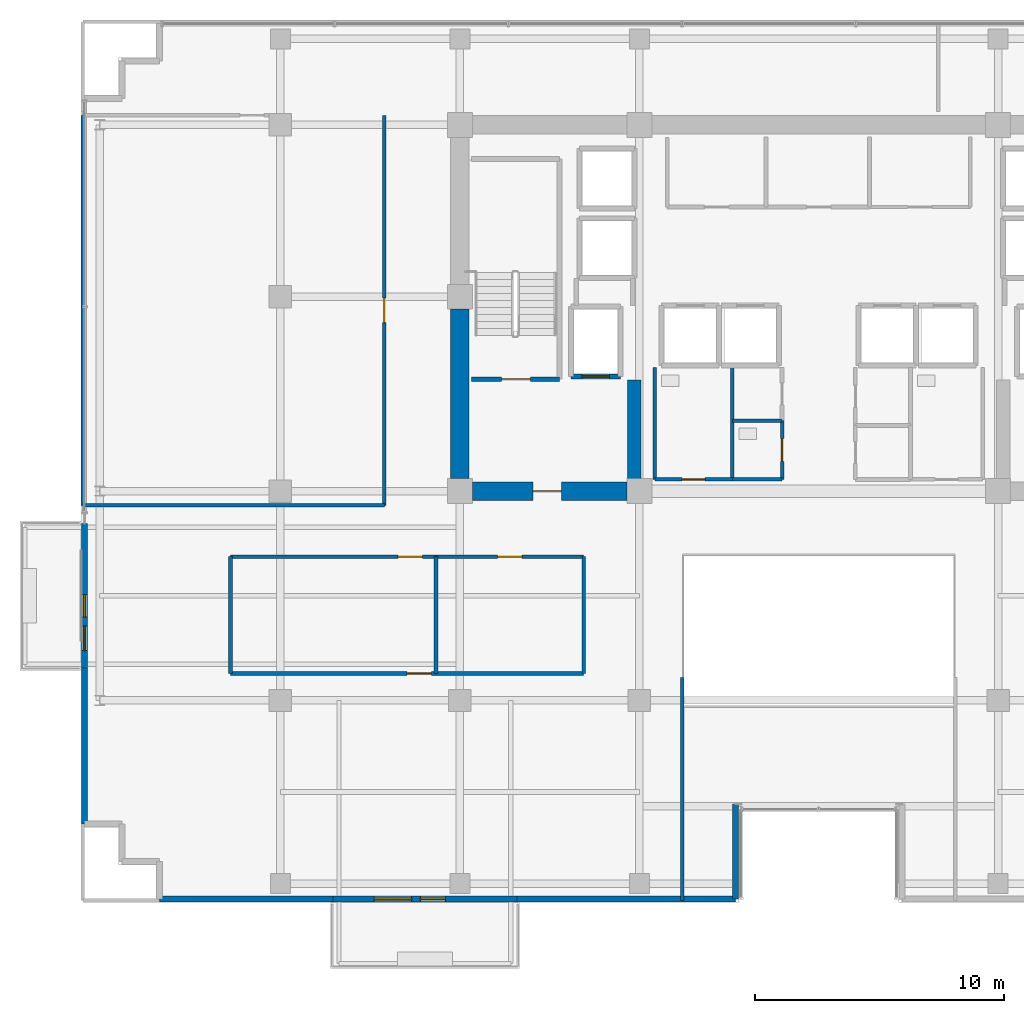
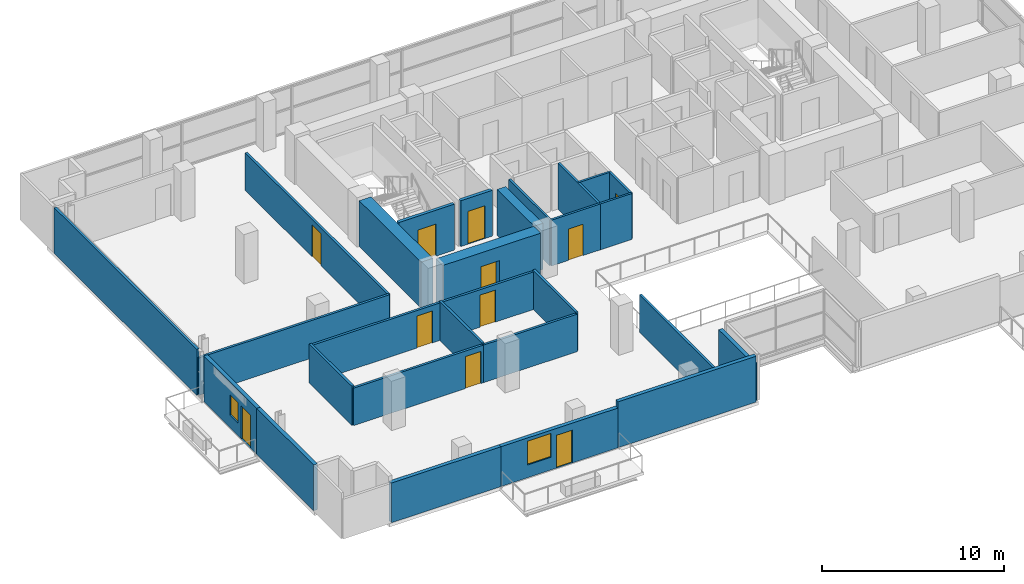
# One storey, part 20 of 27: 28 walls, 11 doors, 2 windows, 13 openings.
"""IFC4 building model written with IfcOpenShell, lengths in metres."""

from ifc_helpers import new_model, si_unit, direction, frame, frame_2d, origin, place, context, subcontext, project, spatial, rectangle, extrude, source, transform, mapped, material, layer, layer_set, type_object, element, fill, save


model = new_model("IFC4")

# Units and contexts
model_context = context("Model", 3, precision=1e-05, world=origin(), true_north=direction((0.0, 1.0)))
body_context = subcontext(model_context, "Body", "Model", "MODEL_VIEW")
ifc_project = project(units=[si_unit("LENGTHUNIT", "METRE"), si_unit("AREAUNIT", "SQUARE_METRE"), si_unit("VOLUMEUNIT", "CUBIC_METRE"), si_unit("PLANEANGLEUNIT", "RADIAN"), si_unit("MASSUNIT", "GRAM", prefix="KILO")], contexts=[model_context])

# Site, building, storey
site_placement = place(None, origin())
site = spatial("IfcSite", under=ifc_project, at=site_placement, CompositionType="ELEMENT")
building_placement = place(site_placement, origin())
building = spatial("IfcBuilding", under=site, at=building_placement, Name="Zarnakvel Exchange Tower", CompositionType="ELEMENT")
storey_placement = place(building_placement, frame((0.0, 0.0, 96.699951171875)))
storey = spatial("IfcBuildingStorey", under=building, at=storey_placement, Name="L26", CompositionType="ELEMENT", Elevation=96.699951171875)

# Wall
ifc_material_1 = material(Name="Concrete C60/75", Category="concrete")
ifc_layer_1 = layer(ifc_material_1, 0.75)
ifc_layer_set_1 = layer_set([ifc_layer_1], Name="Concrete C60/75")
wall_type_1 = type_object("IfcWallType", Name="CW-C3", PredefinedType="SHEAR", material=ifc_layer_set_1)
wall_1_placement = place(storey_placement, frame((-14.39990234375, -0.699951171875, 0.0), z_axis=(0.0, 0.0, 1.0), x_axis=(0.0, 1.0, 0.0)))
element("IfcWall", 1, at=wall_1_placement, inside=storey, type_object=wall_type_1, Name="L26 Rear Core Shear Wall W1 (CW-C3)", PredefinedType="SHEAR", context=body_context, shape_type="SweptSolid", body=[
    extrude(rectangle(XDim=6.800048828125, YDim=0.75, at=frame_2d((3.39990234375, 0.0))), origin(), (0.0, 0.0, 1.0), 3.074951171875),
])

# Wall, opening, door
wall_2_placement = place(storey_placement, frame((-7.699951171875, -1.199951171875, 0.0), z_axis=(0.0, 0.0, 1.0), x_axis=(-1.0, 0.0, 0.0)))
wall_2 = element("IfcWall", 2, at=wall_2_placement, inside=storey, type_object=wall_type_1, Name="L26 Rear Core Shear Wall SW (CW-C3)", PredefinedType="SHEAR", context=body_context, shape_type="SweptSolid", body=[
    extrude(rectangle(XDim=6.199951171875, YDim=0.75, at=frame_2d((3.10009765625, 0.0))), origin(), (0.0, 0.0, 1.0), 3.074951171875),
])
opening_1_placement = place(wall_2_placement, frame((2.625, 0.0, 0.0)))
opening_1 = element("IfcOpeningElement", 3, at=opening_1_placement, cuts=wall_2, Name="Opening D-L26-03", PredefinedType="OPENING", context=body_context, shape_type="SweptSolid", body=[
    extrude(rectangle(XDim=1.14990234375, YDim=2.14990234375, at=frame_2d((0.574951171875, 1.074951171875))), frame((0.0, 0.385009765625, 0.0), z_axis=(0.0, -1.0, 0.0), x_axis=(1.0, 0.0, 0.0)), (0.0, 0.0, 1.0), 0.77001953125),
])
ifc_material_2 = material(Name="Painted Galvanised Steel S355", Category="steel")
door_type_1 = type_object("IfcDoorType", Name="DT-04", OperationType="NOTDEFINED", PredefinedType="DOOR", material=ifc_material_2)
shared_shape_1 = source(origin(), body_context, "Body", "SweptSolid", [
    extrude(rectangle(XDim=1.14990234375, YDim=2.14990234375, at=frame_2d((0.574951171875, 1.074951171875))), frame((0.0, 0.02490234375, 0.0), z_axis=(0.0, -1.0, 0.0), x_axis=(1.0, 0.0, 0.0)), (0.0, 0.0, 1.0), 0.050048828125),
])
door_1_placement = place(opening_1_placement, origin())
door_1 = element("IfcDoor", 4, at=door_1_placement, inside=storey, type_object=door_type_1, Name="L26 Firefighting Lobby West Door D-L26-03", OperationType="SINGLE_SWING_RIGHT", OverallHeight=2.14990234375, OverallWidth=1.14990234375, PredefinedType="DOOR", context=body_context, shape_type="MappedRepresentation", body=[
    mapped(shared_shape_1, transform((0.0, 0.0, 0.0), x_axis=(1.0, 0.0, 0.0), y_axis=(0.0, 1.0, 0.0), z_axis=(0.0, 0.0, 1.0), scale=1.0)),
])
fill(opening_1, door_1)

# Wall
ifc_layer_2 = layer(ifc_material_1, 0.550048828125)
ifc_layer_set_2 = layer_set([ifc_layer_2], Name="Concrete C60/75")
wall_type_2 = type_object("IfcWallType", Name="CW-C4", PredefinedType="SHEAR", material=ifc_layer_set_2)
wall_3_placement = place(storey_placement, frame((-7.39990234375, -0.824951171875, 0.0), z_axis=(0.0, 0.0, 1.0), x_axis=(0.0, 1.0, 0.0)))
element("IfcWall", 5, at=wall_3_placement, inside=storey, type_object=wall_type_2, Name="L26 Rear Core Shear Wall IW (CW-C4)", PredefinedType="SHEAR", context=body_context, shape_type="SweptSolid", body=[
    extrude(rectangle(XDim=4.074951171875, YDim=0.550048828125, at=frame_2d((2.03759765625, 0.0))), origin(), (0.0, 0.0, 1.0), 3.074951171875),
])

# Wall, openings, door, window
ifc_material_3 = material(Name="Precast concrete C40/50", Category="concrete")
ifc_layer_3 = layer(ifc_material_3, 0.239990234375)
ifc_layer_set_3 = layer_set([ifc_layer_3], Name="Precast concrete C40/50")
wall_type_3 = type_object("IfcWallType", Name="EW-02", PredefinedType="SOLIDWALL", material=ifc_layer_set_3)
wall_4_placement = place(storey_placement, frame((-12.10009765625, -17.56005859375, 0.0), z_axis=(0.0, 0.0, 1.0), x_axis=(-1.0, 0.0, 0.0)))
wall_4 = element("IfcWall", 6, at=wall_4_placement, inside=storey, type_object=wall_type_3, Name="L26 Exterior Precast Spandrel Wall EW-BAL-L26-SW (EW-02)", PredefinedType="SOLIDWALL", context=body_context, shape_type="SweptSolid", body=[
    extrude(rectangle(XDim=7.39990234375, YDim=0.239990234375, at=frame_2d((3.699951171875, 0.0))), origin(), (0.0, 0.0, 1.0), 2.6650390625),
])
opening_2_placement = place(wall_4_placement, frame((2.885986328125, 0.0, 0.0)))
opening_2 = element("IfcOpeningElement", 7, at=opening_2_placement, cuts=wall_4, Name="Opening BD-L26-01", PredefinedType="OPENING", context=body_context, shape_type="SweptSolid", body=[
    extrude(rectangle(XDim=1.0, YDim=2.199951171875, at=frame_2d((0.5, 1.10009765625))), frame((0.0, 0.1298828125, 0.0), z_axis=(0.0, -1.0, 0.0), x_axis=(1.0, 0.0, 0.0)), (0.0, 0.0, 1.0), 0.260009765625),
])
opening_3_placement = place(wall_4_placement, frame((4.236083984375, 0.0, 0.85009765625)))
opening_3 = element("IfcOpeningElement", 8, at=opening_3_placement, cuts=wall_4, Name="Opening WN-03", PredefinedType="OPENING", context=body_context, shape_type="SweptSolid", body=[
    extrude(rectangle(XDim=1.5, YDim=1.60009765625, at=frame_2d((0.75, 0.800048828125))), frame((0.0, 0.1298828125, 0.0), z_axis=(0.0, -1.0, 0.0), x_axis=(1.0, 0.0, 0.0)), (0.0, 0.0, 1.0), 0.260009765625),
])
ifc_material_4 = material(Name="Architectural Bronze Anodised Aluminium", Category="aluminium")
door_type_2 = type_object("IfcDoorType", Name="DT-09", OperationType="NOTDEFINED", PredefinedType="DOOR", material=ifc_material_4)
shared_shape_2 = source(origin(), body_context, "Body", "SweptSolid", [
    extrude(rectangle(XDim=1.0, YDim=2.199951171875, at=frame_2d((0.5, 1.10009765625))), frame((0.0, 0.02490234375, 0.0), z_axis=(0.0, -1.0, 0.0), x_axis=(1.0, 0.0, 0.0)), (0.0, 0.0, 1.0), 0.050048828125),
])
door_2_placement = place(opening_2_placement, origin())
door_2 = element("IfcDoor", 9, at=door_2_placement, inside=storey, type_object=door_type_2, Name="L26 Planted Loggia Balcony Door BD-L26-01", OperationType="SINGLE_SWING_RIGHT", OverallHeight=2.199951171875, OverallWidth=1.0, PredefinedType="DOOR", context=body_context, shape_type="MappedRepresentation", body=[
    mapped(shared_shape_2, transform((0.0, 0.0, 0.0), x_axis=(1.0, 0.0, 0.0), y_axis=(0.0, 1.0, 0.0), z_axis=(0.0, 0.0, 1.0), scale=1.0)),
])
fill(opening_2, door_2)
ifc_material_5 = material(Name="Double Low-E Laminated Vision Glass", Category="glass")
window_type_1 = type_object("IfcWindowType", Name="WN-03", PartitioningType="SINGLE_PANEL", PredefinedType="WINDOW", material=ifc_material_5)
shared_shape_3 = source(origin(), body_context, "Body", "SweptSolid", [
    extrude(rectangle(XDim=1.5, YDim=1.60009765625, at=frame_2d((0.75, 0.800048828125))), frame((0.0, 0.030029296875, 0.0), z_axis=(0.0, -1.0, 0.0), x_axis=(1.0, 0.0, 0.0)), (0.0, 0.0, 1.0), 0.06005859375),
])
window_1_placement = place(opening_3_placement, origin())
window_1 = element("IfcWindow", 10, at=window_1_placement, inside=storey, type_object=window_type_1, Name="L26 Loggia Daylight Window (WN-03)", OverallHeight=1.60009765625, OverallWidth=1.5, PartitioningType="SINGLE_PANEL", PredefinedType="WINDOW", context=body_context, shape_type="MappedRepresentation", body=[
    mapped(shared_shape_3, transform((0.0, 0.0, 0.0), x_axis=(1.0, 0.0, 0.0), y_axis=(0.0, 1.0, 0.0), z_axis=(0.0, 0.0, 1.0), scale=1.0)),
])
fill(opening_3, window_1)

wall_5_placement = place(storey_placement, frame((-29.4599609375, -8.300048828125, 0.0), z_axis=(0.0, 0.0, 1.0), x_axis=(0.0, 1.0, 0.0)))
wall_5 = element("IfcWall", 11, at=wall_5_placement, inside=storey, type_object=wall_type_3, Name="L26 Exterior Precast Spandrel Wall EW-BAL-L26-W (EW-02)", PredefinedType="SOLIDWALL", context=body_context, shape_type="SweptSolid", body=[
    extrude(rectangle(XDim=5.800048828125, YDim=0.239990234375, at=frame_2d((2.89990234375, 0.0))), origin(), (0.0, 0.0, 1.0), 3.074951171875),
])
opening_4_placement = place(wall_5_placement, frame((0.696044921875, 0.0, 0.0)))
opening_4 = element("IfcOpeningElement", 12, at=opening_4_placement, cuts=wall_5, Name="Opening BD-L26-03", PredefinedType="OPENING", context=body_context, shape_type="SweptSolid", body=[
    extrude(rectangle(XDim=1.0, YDim=2.199951171875, at=frame_2d((0.5, 1.10009765625))), frame((0.0, 0.1298828125, 0.0), z_axis=(0.0, -1.0, 0.0), x_axis=(1.0, 0.0, 0.0)), (0.0, 0.0, 1.0), 0.260009765625),
])
opening_5_placement = place(wall_5_placement, frame((2.0458984375, 0.0, 0.85009765625)))
opening_5 = element("IfcOpeningElement", 13, at=opening_5_placement, cuts=wall_5, Name="Opening WN-06", PredefinedType="OPENING", context=body_context, shape_type="SweptSolid", body=[
    extrude(rectangle(XDim=0.89990234375, YDim=1.35009765625, at=frame_2d((0.449951171875, 0.675048828125))), frame((0.0, 0.1298828125, 0.0), z_axis=(0.0, -1.0, 0.0), x_axis=(1.0, 0.0, 0.0)), (0.0, 0.0, 1.0), 0.260009765625),
])
door_3_placement = place(opening_4_placement, origin())
door_3 = element("IfcDoor", 14, at=door_3_placement, inside=storey, type_object=door_type_2, Name="L26 Planted Loggia Balcony Door BD-L26-03", OperationType="SINGLE_SWING_RIGHT", OverallHeight=2.199951171875, OverallWidth=1.0, PredefinedType="DOOR", context=body_context, shape_type="MappedRepresentation", body=[
    mapped(shared_shape_2, transform((0.0, 0.0, 0.0), x_axis=(1.0, 0.0, 0.0), y_axis=(0.0, 1.0, 0.0), z_axis=(0.0, 0.0, 1.0), scale=1.0)),
])
fill(opening_4, door_3)
window_type_2 = type_object("IfcWindowType", Name="WN-06", PartitioningType="SINGLE_PANEL", PredefinedType="WINDOW", material=ifc_material_5)
shared_shape_4 = source(origin(), body_context, "Body", "SweptSolid", [
    extrude(rectangle(XDim=0.89990234375, YDim=1.35009765625, at=frame_2d((0.449951171875, 0.675048828125))), frame((0.0, 0.030029296875, 0.0), z_axis=(0.0, -1.0, 0.0), x_axis=(1.0, 0.0, 0.0)), (0.0, 0.0, 1.0), 0.06005859375),
])
window_2_placement = place(opening_5_placement, origin())
window_2 = element("IfcWindow", 15, at=window_2_placement, inside=storey, type_object=window_type_2, Name="L26 Loggia Daylight Window (WN-06)", OverallHeight=1.35009765625, OverallWidth=0.89990234375, PartitioningType="SINGLE_PANEL", PredefinedType="WINDOW", context=body_context, shape_type="MappedRepresentation", body=[
    mapped(shared_shape_4, transform((0.0, 0.0, 0.0), x_axis=(1.0, 0.0, 0.0), y_axis=(0.0, 1.0, 0.0), z_axis=(0.0, 0.0, 1.0), scale=1.0)),
])
fill(opening_5, window_2)

# Walls
wall_6_placement = place(storey_placement, frame((-29.4599609375, -8.300048828125, 0.0), z_axis=(0.0, 0.0, 1.0), x_axis=(0.0, -1.0, 0.0)))
element("IfcWall", 16, at=wall_6_placement, inside=storey, type_object=wall_type_3, Name="L26 Exterior Precast Spandrel Wall EWC-L26-01 (EW-02)", PredefinedType="SOLIDWALL", context=body_context, shape_type="SweptSolid", body=[
    extrude(rectangle(XDim=6.260009765625, YDim=0.239990234375, at=frame_2d((3.1298828125, 0.0))), origin(), (0.0, 0.0, 1.0), 3.074951171875),
])
wall_7_placement = place(storey_placement, frame((-3.340087890625, -17.56005859375, 0.0), z_axis=(0.0, 0.0, 1.0), x_axis=(0.0, 1.0, 0.0)))
element("IfcWall", 17, at=wall_7_placement, inside=storey, type_object=wall_type_3, Name="L26 Exterior Precast Spandrel Wall EWC-L26-20 (EW-02)", PredefinedType="SOLIDWALL", context=body_context, shape_type="SweptSolid", body=[
    extrude(rectangle(XDim=3.800048828125, YDim=0.239990234375, at=frame_2d((1.89990234375, 0.0))), origin(), (0.0, 0.0, 1.0), 2.51513671875),
])
wall_8_placement = place(storey_placement, frame((-12.10009765625, -17.56005859375, 0.0), z_axis=(0.0, 0.0, 1.0), x_axis=(1.0, 0.0, 0.0)))
element("IfcWall", 18, at=wall_8_placement, inside=storey, type_object=wall_type_3, Name="L26 Exterior Precast Spandrel Wall EWC-L26-21 (EW-02)", PredefinedType="SOLIDWALL", context=body_context, shape_type="SweptSolid", body=[
    extrude(rectangle(XDim=8.760009765625, YDim=0.239990234375, at=frame_2d((4.3798828125, 0.0))), origin(), (0.0, 0.0, 1.0), 3.074951171875),
])
wall_9_placement = place(storey_placement, frame((-26.4599609375, -17.56005859375, 0.0), z_axis=(0.0, 0.0, 1.0), x_axis=(1.0, 0.0, 0.0)))
element("IfcWall", 19, at=wall_9_placement, inside=storey, type_object=wall_type_3, Name="L26 Exterior Precast Spandrel Wall EWC-L26-22 (EW-02)", PredefinedType="SOLIDWALL", context=body_context, shape_type="SweptSolid", body=[
    extrude(rectangle(XDim=6.9599609375, YDim=0.239990234375, at=frame_2d((3.47998046875, 0.0))), origin(), (0.0, 0.0, 1.0), 2.6650390625),
])

# Wall, opening, door
ifc_material_6 = material(Name="Fire-Rated Gypsum Stud Partition", Category="gypsum")
ifc_layer_4 = layer(ifc_material_6, 0.14990234375)
ifc_layer_set_4 = layer_set([ifc_layer_4], Name="Fire-Rated Gypsum Stud Partition")
wall_type_4 = type_object("IfcWallType", Name="PT-01", PredefinedType="PARTITIONING", material=ifc_layer_set_4)
wall_10_placement = place(storey_placement, frame((-15.360595703125, -8.52001953125, 0.0), z_axis=(0.0, 0.0, 1.0), x_axis=(-1.0, 0.0, 0.0)))
wall_10 = element("IfcWall", 20, at=wall_10_placement, inside=storey, type_object=wall_type_4, Name="L26 Partition Wall PWALL-L26-033 (PT-01)", PredefinedType="PARTITIONING", context=body_context, shape_type="SweptSolid", body=[
    extrude(rectangle(XDim=8.23876953125, YDim=0.14990234375, at=frame_2d((4.119384765625, 0.0))), origin(), (0.0, 0.0, 1.0), 2.51513671875),
])
opening_6_placement = place(wall_10_placement, frame((0.179931640625, 0.0, 0.0)))
opening_6 = element("IfcOpeningElement", 21, at=opening_6_placement, cuts=wall_10, Name="Opening D-L26-16", PredefinedType="OPENING", context=body_context, shape_type="SweptSolid", body=[
    extrude(rectangle(XDim=0.97998046875, YDim=2.14990234375, at=frame_2d((0.489990234375, 1.074951171875))), frame((0.0, 0.0849609375, 0.0), z_axis=(0.0, -1.0, 0.0), x_axis=(1.0, 0.0, 0.0)), (0.0, 0.0, 1.0), 0.169921875),
])
ifc_material_7 = material(Name="Timber Acoustic Veneer", Category="wood")
door_type_3 = type_object("IfcDoorType", Name="DT-05", OperationType="NOTDEFINED", PredefinedType="DOOR", material=ifc_material_7)
shared_shape_5 = source(origin(), body_context, "Body", "SweptSolid", [
    extrude(rectangle(XDim=0.97998046875, YDim=2.14990234375, at=frame_2d((0.489990234375, 1.074951171875))), frame((0.0, 0.02490234375, 0.0), z_axis=(0.0, -1.0, 0.0), x_axis=(1.0, 0.0, 0.0)), (0.0, 0.0, 1.0), 0.050048828125),
])
door_4_placement = place(opening_6_placement, origin())
door_4 = element("IfcDoor", 22, at=door_4_placement, inside=storey, type_object=door_type_3, Name="L26 Institutional Dealing Room Door D-L26-16", OperationType="SINGLE_SWING_LEFT", OverallHeight=2.14990234375, OverallWidth=0.97998046875, PredefinedType="DOOR", context=body_context, shape_type="MappedRepresentation", body=[
    mapped(shared_shape_5, transform((0.0, 0.0, 0.0), x_axis=(1.0, 0.0, 0.0), y_axis=(0.0, 1.0, 0.0), z_axis=(0.0, 0.0, 1.0), scale=1.0)),
])
fill(opening_6, door_4)

wall_11_placement = place(storey_placement, frame((-23.599365234375, -3.830078125, 0.0), z_axis=(0.0, 0.0, 1.0), x_axis=(1.0, 0.0, 0.0)))
wall_11 = element("IfcWall", 23, at=wall_11_placement, inside=storey, type_object=wall_type_4, Name="L26 Partition Wall PWALL-L26-034 (PT-01)", PredefinedType="PARTITIONING", context=body_context, shape_type="SweptSolid", body=[
    extrude(rectangle(XDim=8.23876953125, YDim=0.14990234375, at=frame_2d((4.119384765625, 0.0))), origin(), (0.0, 0.0, 1.0), 2.51513671875),
])
opening_7_placement = place(wall_11_placement, frame((6.71435546875, 0.0, 0.0)))
opening_7 = element("IfcOpeningElement", 24, at=opening_7_placement, cuts=wall_11, Name="Opening D-L26-14", PredefinedType="OPENING", context=body_context, shape_type="SweptSolid", body=[
    extrude(rectangle(XDim=0.97998046875, YDim=2.14990234375, at=frame_2d((0.489990234375, 1.074951171875))), frame((0.0, 0.0849609375, 0.0), z_axis=(0.0, -1.0, 0.0), x_axis=(1.0, 0.0, 0.0)), (0.0, 0.0, 1.0), 0.169921875),
])
door_5_placement = place(opening_7_placement, origin())
door_5 = element("IfcDoor", 25, at=door_5_placement, inside=storey, type_object=door_type_3, Name="L26 Clearing Office Door D-L26-14", OperationType="SINGLE_SWING_LEFT", OverallHeight=2.14990234375, OverallWidth=0.97998046875, PredefinedType="DOOR", context=body_context, shape_type="MappedRepresentation", body=[
    mapped(shared_shape_5, transform((0.0, 0.0, 0.0), x_axis=(1.0, 0.0, 0.0), y_axis=(0.0, 1.0, 0.0), z_axis=(0.0, 0.0, 1.0), scale=1.0)),
])
fill(opening_7, door_5)

# Walls
for number, where, z_axis, x_axis, name in (
    (26, (-23.599365234375, -8.52001953125, 0.0), (0.0, 0.0, 1.0), (0.0, 1.0, 0.0), "L26 Partition Wall PWALL-L26-035 (PT-01)"),
    (27, (-15.360595703125, -3.830078125, 0.0), (0.0, 0.0, 1.0), (0.0, -1.0, 0.0), "L26 Partition Wall PWALL-L26-036 (PT-01)"),
):
    element("IfcWall", number, at=place(storey_placement, frame(where, z_axis=z_axis, x_axis=x_axis)), inside=storey, type_object=wall_type_4, Name=name, PredefinedType="PARTITIONING", context=body_context, shape_type="SweptSolid", body=[
        extrude(rectangle(XDim=4.68994140625, YDim=0.14990234375, at=frame_2d((2.344970703125, 0.0))), origin(), (0.0, 0.0, 1.0), 2.614990234375),
    ])
wall_12_placement = place(storey_placement, frame((-9.429931640625, -8.52001953125, 0.0), z_axis=(0.0, 0.0, 1.0), x_axis=(-1.0, 0.0, 0.0)))
element("IfcWall", 28, at=wall_12_placement, inside=storey, type_object=wall_type_4, Name="L26 Partition Wall PWALL-L26-037 (PT-01)", PredefinedType="PARTITIONING", context=body_context, shape_type="SweptSolid", body=[
    extrude(rectangle(XDim=5.9306640625, YDim=0.14990234375, at=frame_2d((2.96533203125, 0.0))), origin(), (0.0, 0.0, 1.0), 2.51513671875),
])

# Wall, opening, door
wall_13_placement = place(storey_placement, frame((-15.360595703125, -3.830078125, 0.0), z_axis=(0.0, 0.0, 1.0), x_axis=(1.0, 0.0, 0.0)))
wall_13 = element("IfcWall", 29, at=wall_13_placement, inside=storey, type_object=wall_type_4, Name="L26 Partition Wall PWALL-L26-038 (PT-01)", PredefinedType="PARTITIONING", context=body_context, shape_type="SweptSolid", body=[
    extrude(rectangle(XDim=5.9306640625, YDim=0.14990234375, at=frame_2d((2.96533203125, 0.0))), origin(), (0.0, 0.0, 1.0), 2.51513671875),
])
opening_8_placement = place(wall_13_placement, frame((2.4755859375, 0.0, 0.0)))
opening_8 = element("IfcOpeningElement", 30, at=opening_8_placement, cuts=wall_13, Name="Opening D-L26-15", PredefinedType="OPENING", context=body_context, shape_type="SweptSolid", body=[
    extrude(rectangle(XDim=0.97998046875, YDim=2.14990234375, at=frame_2d((0.489990234375, 1.074951171875))), frame((0.0, 0.0849609375, 0.0), z_axis=(0.0, -1.0, 0.0), x_axis=(1.0, 0.0, 0.0)), (0.0, 0.0, 1.0), 0.169921875),
])
door_6_placement = place(opening_8_placement, origin())
door_6 = element("IfcDoor", 31, at=door_6_placement, inside=storey, type_object=door_type_3, Name="L26 Executive Office Door D-L26-15", OperationType="SINGLE_SWING_RIGHT", OverallHeight=2.14990234375, OverallWidth=0.97998046875, PredefinedType="DOOR", context=body_context, shape_type="MappedRepresentation", body=[
    mapped(shared_shape_5, transform((0.0, 0.0, 0.0), x_axis=(1.0, 0.0, 0.0), y_axis=(0.0, 1.0, 0.0), z_axis=(0.0, 0.0, 1.0), scale=1.0)),
])
fill(opening_8, door_6)

# Walls
wall_14_placement = place(storey_placement, frame((-9.429931640625, -3.830078125, 0.0), z_axis=(0.0, 0.0, 1.0), x_axis=(0.0, -1.0, 0.0)))
element("IfcWall", 32, at=wall_14_placement, inside=storey, type_object=wall_type_4, Name="L26 Partition Wall PWALL-L26-039 (PT-01)", PredefinedType="PARTITIONING", context=body_context, shape_type="SweptSolid", body=[
    extrude(rectangle(XDim=4.68994140625, YDim=0.14990234375, at=frame_2d((2.344970703125, 0.0))), origin(), (0.0, 0.0, 1.0), 2.614990234375),
])
wall_15_placement = place(storey_placement, frame((-5.47998046875, -8.679931640625, 0.0), z_axis=(0.0, 0.0, 1.0), x_axis=(0.0, -1.0, 0.0)))
element("IfcWall", 33, at=wall_15_placement, inside=storey, type_object=wall_type_4, Name="L26 Partition Wall PWALL-L26-042 (PT-01)", PredefinedType="PARTITIONING", context=body_context, shape_type="SweptSolid", body=[
    extrude(rectangle(XDim=8.949951171875, YDim=0.14990234375, at=frame_2d((4.47509765625, 0.0))), origin(), (0.0, 0.0, 1.0), 2.51513671875),
])
wall_16_placement = place(storey_placement, frame((-17.429931640625, -1.77001953125, 0.0), z_axis=(0.0, 0.0, 1.0), x_axis=(-1.0, 0.0, 0.0)))
element("IfcWall", 34, at=wall_16_placement, inside=storey, type_object=wall_type_4, Name="L26 Partition Wall PWALL-L26-050 (PT-01)", PredefinedType="PARTITIONING", context=body_context, shape_type="SweptSolid", body=[
    extrude(rectangle(XDim=12.10009765625, YDim=0.14990234375, at=frame_2d((6.050048828125, 0.0))), origin(), (0.0, 0.0, 1.0), 2.51513671875),
])
wall_17_placement = place(storey_placement, frame((-29.530029296875, -1.77001953125, 0.0), z_axis=(0.0, 0.0, 1.0), x_axis=(0.0, 1.0, 0.0)))
element("IfcWall", 35, at=wall_17_placement, inside=storey, type_object=wall_type_4, Name="L26 Partition Wall PWALL-L26-052 (PT-01)", PredefinedType="PARTITIONING", context=body_context, shape_type="SweptSolid", body=[
    extrude(rectangle(XDim=15.64990234375, YDim=0.14990234375, at=frame_2d((7.824951171875, 0.0))), origin(), (0.0, 0.0, 1.0), 3.074951171875),
])

# Wall, opening, door
wall_18_placement = place(storey_placement, frame((-17.429931640625, 13.8798828125, 0.0), z_axis=(0.0, 0.0, 1.0), x_axis=(0.0, -1.0, 0.0)))
wall_18 = element("IfcWall", 36, at=wall_18_placement, inside=storey, type_object=wall_type_4, Name="L26 Partition Wall PWALL-L26-053 (PT-01)", PredefinedType="PARTITIONING", context=body_context, shape_type="SweptSolid", body=[
    extrude(rectangle(XDim=15.64990234375, YDim=0.14990234375, at=frame_2d((7.824951171875, 0.0))), origin(), (0.0, 0.0, 1.0), 2.51513671875),
])
opening_9_placement = place(wall_18_placement, frame((7.3349609375, 0.0, 0.0)))
opening_9 = element("IfcOpeningElement", 37, at=opening_9_placement, cuts=wall_18, Name="Opening D-L26-19", PredefinedType="OPENING", context=body_context, shape_type="SweptSolid", body=[
    extrude(rectangle(XDim=0.97998046875, YDim=2.14990234375, at=frame_2d((0.489990234375, 1.074951171875))), frame((0.0, 0.0849609375, 0.0), z_axis=(0.0, -1.0, 0.0), x_axis=(1.0, 0.0, 0.0)), (0.0, 0.0, 1.0), 0.169921875),
])
door_7_placement = place(opening_9_placement, origin())
door_7 = element("IfcDoor", 38, at=door_7_placement, inside=storey, type_object=door_type_3, Name="L26 Meeting Room Door D-L26-19", OperationType="SINGLE_SWING_RIGHT", OverallHeight=2.14990234375, OverallWidth=0.97998046875, PredefinedType="DOOR", context=body_context, shape_type="MappedRepresentation", body=[
    mapped(shared_shape_5, transform((0.0, 0.0, 0.0), x_axis=(1.0, 0.0, 0.0), y_axis=(0.0, 1.0, 0.0), z_axis=(0.0, 0.0, 1.0), scale=1.0)),
])
fill(opening_9, door_7)

ifc_material_8 = material(Name="Moisture-Resistant Tile-Faced Partition", Category="gypsum")
ifc_layer_5 = layer(ifc_material_8, 0.135009765625)
ifc_layer_set_5 = layer_set([ifc_layer_5], Name="Moisture-Resistant Tile-Faced Partition")
wall_type_5 = type_object("IfcWallType", Name="PT-03", PredefinedType="PARTITIONING", material=ifc_layer_set_5)
wall_19_placement = place(storey_placement, frame((-3.469970703125, -0.72998046875, 0.0), z_axis=(0.0, 0.0, 1.0), x_axis=(-1.0, 0.0, 0.0)))
wall_19 = element("IfcWall", 39, at=wall_19_placement, inside=storey, type_object=wall_type_5, Name="L26 Partition Wall PWALL-L26-018 (PT-03)", PredefinedType="PARTITIONING", context=body_context, shape_type="SweptSolid", body=[
    extrude(rectangle(XDim=3.110107421875, YDim=0.135009765625, at=frame_2d((1.55517578125, 0.0))), origin(), (0.0, 0.0, 1.0), 3.074951171875),
])
opening_10_placement = place(wall_19_placement, frame((1.090087890625, 0.0, 0.0)))
opening_10 = element("IfcOpeningElement", 40, at=opening_10_placement, cuts=wall_19, Name="Opening D-L26-08", PredefinedType="OPENING", context=body_context, shape_type="SweptSolid", body=[
    extrude(rectangle(XDim=0.919921875, YDim=2.10009765625, at=frame_2d((0.4599609375, 1.050048828125))), frame((0.0, 0.077392578125, 0.0), z_axis=(0.0, -1.0, 0.0), x_axis=(1.0, 0.0, 0.0)), (0.0, 0.0, 1.0), 0.155029296875),
])
ifc_material_9 = material(Name="Moisture-Resistant Laminate Timber", Category="wood")
door_type_4 = type_object("IfcDoorType", Name="DT-07", OperationType="NOTDEFINED", PredefinedType="DOOR", material=ifc_material_9)
shared_shape_6 = source(origin(), body_context, "Body", "SweptSolid", [
    extrude(rectangle(XDim=0.919921875, YDim=2.10009765625, at=frame_2d((0.4599609375, 1.050048828125))), frame((0.0, 0.02490234375, 0.0), z_axis=(0.0, -1.0, 0.0), x_axis=(1.0, 0.0, 0.0)), (0.0, 0.0, 1.0), 0.050048828125),
])
door_8_placement = place(opening_10_placement, origin())
door_8 = element("IfcDoor", 41, at=door_8_placement, inside=storey, type_object=door_type_4, Name="L26 Male Toilet Door D-L26-08", OperationType="SINGLE_SWING_LEFT", OverallHeight=2.10009765625, OverallWidth=0.919921875, PredefinedType="DOOR", context=body_context, shape_type="MappedRepresentation", body=[
    mapped(shared_shape_6, transform((0.0, 0.0, 0.0), x_axis=(1.0, 0.0, 0.0), y_axis=(0.0, 1.0, 0.0), z_axis=(0.0, 0.0, 1.0), scale=1.0)),
])
fill(opening_10, door_8)

# Walls
for number, where, z_axis, x_axis, name in (
    (42, (-6.580078125, -0.72998046875, 0.0), (0.0, 0.0, 1.0), (0.0, 1.0, 0.0), "L26 Partition Wall PWALL-L26-019 (PT-03)"),
    (43, (-3.469970703125, 3.760009765625, 0.0), (0.0, 0.0, 1.0), (0.0, -1.0, 0.0), "L26 Partition Wall PWALL-L26-020 (PT-03)"),
):
    element("IfcWall", number, at=place(storey_placement, frame(where, z_axis=z_axis, x_axis=x_axis)), inside=storey, type_object=wall_type_5, Name=name, PredefinedType="PARTITIONING", context=body_context, shape_type="SweptSolid", body=[
        extrude(rectangle(XDim=4.489990234375, YDim=0.135009765625, at=frame_2d((2.2451171875, 0.0))), origin(), (0.0, 0.0, 1.0), 3.074951171875),
    ])
for number, where, z_axis, x_axis, name in (
    (44, (-1.469970703125, -0.72998046875, 0.0), (0.0, 0.0, 1.0), (-1.0, 0.0, 0.0), "L26 Partition Wall PWALL-L26-021 (PT-03)"),
    (45, (-3.469970703125, 1.6298828125, 0.0), (0.0, 0.0, 1.0), (1.0, 0.0, 0.0), "L26 Partition Wall PWALL-L26-022 (PT-03)"),
):
    element("IfcWall", number, at=place(storey_placement, frame(where, z_axis=z_axis, x_axis=x_axis)), inside=storey, type_object=wall_type_5, Name=name, PredefinedType="PARTITIONING", context=body_context, shape_type="SweptSolid", body=[
        extrude(rectangle(XDim=2.0, YDim=0.135009765625, at=frame_2d((1.0, 0.0))), origin(), (0.0, 0.0, 1.0), 3.074951171875),
    ])

# Wall, opening, door
wall_20_placement = place(storey_placement, frame((-1.469970703125, 1.6298828125, 0.0), z_axis=(0.0, 0.0, 1.0), x_axis=(0.0, -1.0, 0.0)))
wall_20 = element("IfcWall", 46, at=wall_20_placement, inside=storey, type_object=wall_type_5, Name="L26 Partition Wall PWALL-L26-023 (PT-03)", PredefinedType="PARTITIONING", context=body_context, shape_type="SweptSolid", body=[
    extrude(rectangle(XDim=2.35986328125, YDim=0.135009765625, at=frame_2d((1.179931640625, 0.0))), origin(), (0.0, 0.0, 1.0), 3.074951171875),
])
opening_11_placement = place(wall_20_placement, frame((0.719970703125, 0.0, 0.0)))
opening_11 = element("IfcOpeningElement", 47, at=opening_11_placement, cuts=wall_20, Name="Opening D-L26-09", PredefinedType="OPENING", context=body_context, shape_type="SweptSolid", body=[
    extrude(rectangle(XDim=0.919921875, YDim=2.10009765625, at=frame_2d((0.4599609375, 1.050048828125))), frame((0.0, 0.077392578125, 0.0), z_axis=(0.0, -1.0, 0.0), x_axis=(1.0, 0.0, 0.0)), (0.0, 0.0, 1.0), 0.155029296875),
])
door_9_placement = place(opening_11_placement, origin())
door_9 = element("IfcDoor", 48, at=door_9_placement, inside=storey, type_object=door_type_4, Name="L26 Accessible Toilet Door D-L26-09", OperationType="SINGLE_SWING_RIGHT", OverallHeight=2.10009765625, OverallWidth=0.919921875, PredefinedType="DOOR", context=body_context, shape_type="MappedRepresentation", body=[
    mapped(shared_shape_6, transform((0.0, 0.0, 0.0), x_axis=(1.0, 0.0, 0.0), y_axis=(0.0, 1.0, 0.0), z_axis=(0.0, 0.0, 1.0), scale=1.0)),
])
fill(opening_11, door_9)

ifc_material_10 = material(Name="Concrete C40/50", Category="concrete")
ifc_layer_6 = layer(ifc_material_10, 0.199951171875)
ifc_layer_set_6 = layer_set([ifc_layer_6], Name="Concrete C40/50")
wall_type_6 = type_object("IfcWallType", Name="SW-01", PredefinedType="SOLIDWALL", material=ifc_layer_set_6)
wall_21_placement = place(storey_placement, frame((-7.949951171875, 3.39990234375, 0.0), z_axis=(0.0, 0.0, 1.0), x_axis=(-1.0, 0.0, 0.0)))
wall_21 = element("IfcWall", 49, at=wall_21_placement, inside=storey, type_object=wall_type_6, Name="L26 FL-01 Hoistway Wall South", PredefinedType="SOLIDWALL", context=body_context, shape_type="SweptSolid", body=[
    extrude(rectangle(XDim=2.0, YDim=0.199951171875, at=frame_2d((1.0, 0.0))), origin(), (0.0, 0.0, 1.0), 3.074951171875),
])
opening_12_placement = place(wall_21_placement, frame((0.449951171875, 0.0, 0.0)))
opening_12 = element("IfcOpeningElement", 50, at=opening_12_placement, cuts=wall_21, Name="Opening LD-FL-01-L26", PredefinedType="OPENING", context=body_context, shape_type="SweptSolid", body=[
    extrude(rectangle(XDim=1.10009765625, YDim=2.199951171875, at=frame_2d((0.550048828125, 1.10009765625))), frame((0.0, 0.10986328125, 0.0), z_axis=(0.0, -1.0, 0.0), x_axis=(1.0, 0.0, 0.0)), (0.0, 0.0, 1.0), 0.219970703125),
])
ifc_material_11 = material(Name="Brushed Stainless Steel", Category="steel")
door_type_5 = type_object("IfcDoorType", Name="LDT-01", OperationType="NOTDEFINED", PredefinedType="DOOR", material=ifc_material_11)
shared_shape_7 = source(origin(), body_context, "Body", "SweptSolid", [
    extrude(rectangle(XDim=1.10009765625, YDim=2.199951171875, at=frame_2d((0.550048828125, 1.10009765625))), frame((0.0, 0.02490234375, 0.0), z_axis=(0.0, -1.0, 0.0), x_axis=(1.0, 0.0, 0.0)), (0.0, 0.0, 1.0), 0.050048828125),
])
door_10_placement = place(opening_12_placement, origin())
door_10 = element("IfcDoor", 51, at=door_10_placement, inside=storey, type_object=door_type_5, Name="L26 FL-01 Lift Landing Door LD-FL-01-L26", OperationType="DOUBLE_DOOR_SLIDING", OverallHeight=2.199951171875, OverallWidth=1.10009765625, PredefinedType="DOOR", context=body_context, shape_type="MappedRepresentation", body=[
    mapped(shared_shape_7, transform((0.0, 0.0, 0.0), x_axis=(1.0, 0.0, 0.0), y_axis=(0.0, 1.0, 0.0), z_axis=(0.0, 0.0, 1.0), scale=1.0)),
])
fill(opening_12, door_10)

ifc_layer_7 = layer(ifc_material_10, 0.199951171875)
ifc_layer_set_7 = layer_set([ifc_layer_7], Name="Concrete C40/50")
wall_type_7 = type_object("IfcWallType", Name="SW-02", PredefinedType="SOLIDWALL", material=ifc_layer_set_7)
wall_22_placement = place(storey_placement, frame((-10.409912109375, 3.2900390625, 0.0), z_axis=(0.0, 0.0, 1.0), x_axis=(-1.0, 0.0, 0.0)))
wall_22 = element("IfcWall", 52, at=wall_22_placement, inside=storey, type_object=wall_type_7, Name="L26 Stairwell Core Wall PWALL-L26-001 (SW-02)", PredefinedType="SOLIDWALL", context=body_context, shape_type="SweptSolid", body=[
    extrude(rectangle(XDim=3.52001953125, YDim=0.199951171875, at=frame_2d((1.760009765625, 0.0))), origin(), (0.0, 0.0, 1.0), 3.074951171875),
])
opening_13_placement = place(wall_22_placement, frame((1.1650390625, 0.0, 0.0)))
opening_13 = element("IfcOpeningElement", 53, at=opening_13_placement, cuts=wall_22, Name="Opening D-L26-01", PredefinedType="OPENING", context=body_context, shape_type="SweptSolid", body=[
    extrude(rectangle(XDim=1.14990234375, YDim=2.14990234375, at=frame_2d((0.574951171875, 1.074951171875))), frame((0.0, 0.10986328125, 0.0), z_axis=(0.0, -1.0, 0.0), x_axis=(1.0, 0.0, 0.0)), (0.0, 0.0, 1.0), 0.219970703125),
])
door_11_placement = place(opening_13_placement, origin())
door_11 = element("IfcDoor", 54, at=door_11_placement, inside=storey, type_object=door_type_1, Name="L26 Stairwell ST-01 Door D-L26-01", OperationType="SINGLE_SWING_RIGHT", OverallHeight=2.14990234375, OverallWidth=1.14990234375, PredefinedType="DOOR", context=body_context, shape_type="MappedRepresentation", body=[
    mapped(shared_shape_1, transform((0.0, 0.0, 0.0), x_axis=(1.0, 0.0, 0.0), y_axis=(0.0, 1.0, 0.0), z_axis=(0.0, 0.0, 1.0), scale=1.0)),
])
fill(opening_13, door_11)

save(model, "model.ifc")
